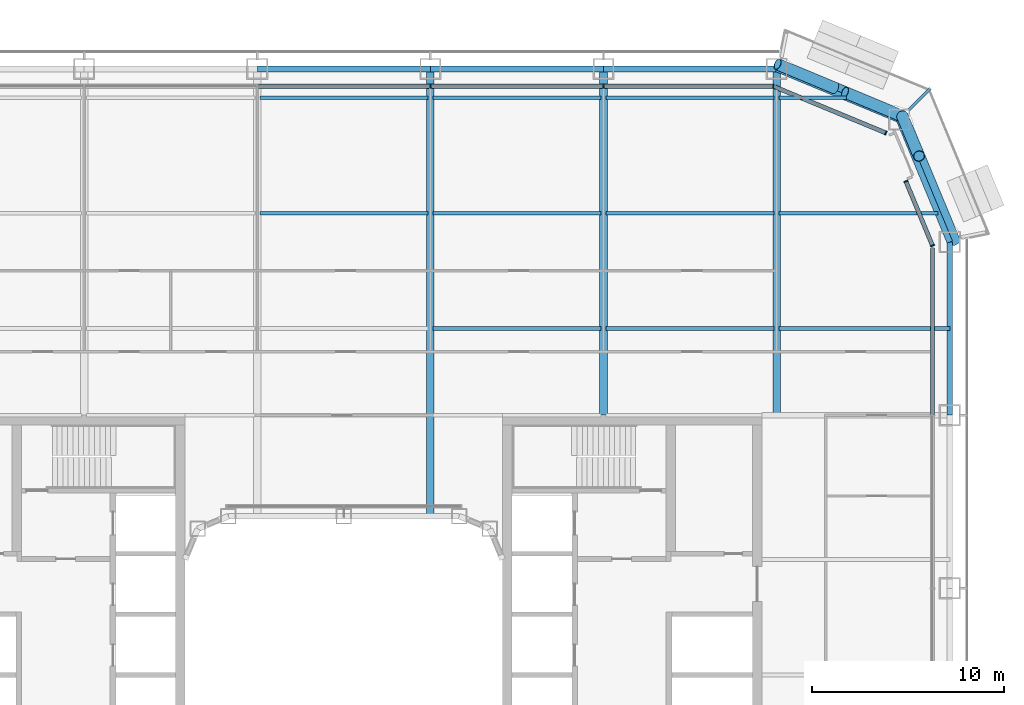
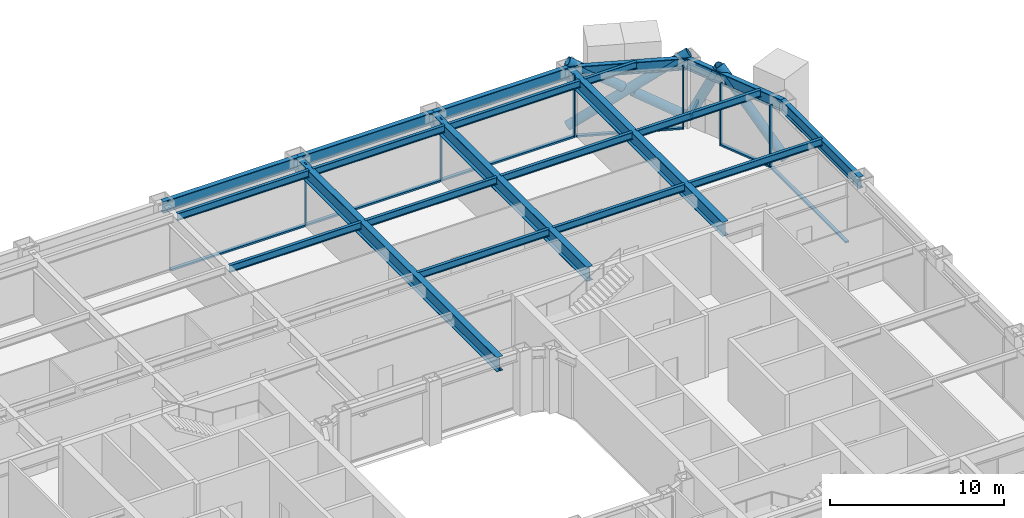
# One storey, part 10 of 30: 21 beams, 17 members, 4 elements without a shape of their own.
"""IFC4 building model written with IfcOpenShell, lengths in metres."""

from ifc_helpers import new_model, si_unit, direction, frame, origin, origin_2d, place, context, subcontext, project, spatial, rectangle, hollow_rectangle, hollow_circle, i_section, extrude, material, layer, layer_set, material_profile, profile_set, type_object, element, aggregate, save


model = new_model("IFC4")

# Units and contexts
model_context = context("Model", 3, precision=1e-05, world=origin(), true_north=direction((0.0, 1.0)))
body_context = subcontext(model_context, "Body", "Model", "MODEL_VIEW")
ifc_project = project(units=[si_unit("LENGTHUNIT", "METRE"), si_unit("AREAUNIT", "SQUARE_METRE"), si_unit("VOLUMEUNIT", "CUBIC_METRE"), si_unit("PLANEANGLEUNIT", "RADIAN"), si_unit("MASSUNIT", "GRAM", prefix="KILO")], contexts=[model_context])

# Site, building, storey
site_placement = place(None, origin())
site = spatial("IfcSite", under=ifc_project, at=site_placement, CompositionType="ELEMENT")
building_placement = place(site_placement, origin())
building = spatial("IfcBuilding", under=site, at=building_placement, Name="Siwar Civic Tower", CompositionType="ELEMENT")
storey_placement = place(building_placement, frame((0.0, 0.0, 44.699951171875)))
storey = spatial("IfcBuildingStorey", under=building, at=storey_placement, Name="L09", CompositionType="ELEMENT", Elevation=44.699951171875)

# Beam
ifc_material_1 = material(Name="Steel S355", Category="steel")
ifc_material_profile_1 = material_profile(ifc_material_1, hollow_rectangle(XDim=0.14990234375, YDim=0.25, WallThickness=0.010009765625, at=origin_2d()), Name="RHS250x150x10")
ifc_profile_set_1 = profile_set([ifc_material_profile_1], Name="Steel S355")
beam_type_1 = type_object("IfcBeamType", Name="ENV-BALCONY ARM", PredefinedType="BEAM", material=ifc_profile_set_1)
beam_1_placement = place(storey_placement, frame((29.378662109375, 29.378662109375, -0.27490234375), z_axis=(0.707106781187, 0.707106781187, 0.0), x_axis=(-0.707106781187, 0.707106781187, 0.0)))
element("IfcBeam", 1, at=beam_1_placement, inside=storey, type_object=beam_type_1, Name="Balcony cantilever beam NE 2", PredefinedType="BEAM", context=body_context, shape_type="SweptSolid", body=[
    extrude(hollow_rectangle(XDim=0.14990234375, YDim=0.25, WallThickness=0.010009765625, at=origin_2d()), origin(), (0.0, 0.0, 1.0), 1.545166015625),
])

# Curtain wall, members
ifc_material_2 = material(Name="Aluminium clad insulated panel", Category="aluminium")
ifc_layer_1 = layer(ifc_material_2, 0.219970703125)
ifc_layer_set_1 = layer_set([ifc_layer_1], Name="Aluminium clad insulated panel")
curtain_wall_type_1 = type_object("IfcCurtainWallType", Name="ENV-CW-AX", PredefinedType="NOTDEFINED", material=ifc_layer_set_1)
curtain_wall_1_placement = place(storey_placement, origin())
curtain_wall_1 = element("IfcCurtainWall", 2, at=curtain_wall_1_placement, inside=storey, type_object=curtain_wall_type_1, Name="Curtain wall A NE1", PredefinedType="NOTDEFINED")
ifc_material_3 = material(Name="Aluminium 6063-T6", Category="aluminium")
ifc_material_profile_2 = material_profile(ifc_material_3, rectangle(XDim=0.219970703125, YDim=0.070068359375, at=origin_2d()), Name="AL 220x70")
ifc_profile_set_2 = profile_set([ifc_material_profile_2], Name="Aluminium 6063-T6")
member_type_1 = type_object("IfcMemberType", Name="ENV-MULLION-A", PredefinedType="MULLION", material=ifc_profile_set_2)
member_1_placement = place(storey_placement, frame((30.60009765625, 22.321044921875, 0.0), z_axis=(0.0, 0.0, 1.0), x_axis=(-0.923879532511, -0.382683432365, 0.0)))
member_1 = element("IfcMember", 3, at=member_1_placement, type_object=member_type_1, Name="Mullion A NE1 1", PredefinedType="MULLION", context=body_context, shape_type="SweptSolid", body=[
    extrude(rectangle(XDim=0.219970703125, YDim=0.070068359375, at=origin_2d()), origin(), (0.0, 0.0, 1.0), 4.35009765625),
])
member_2_placement = place(storey_placement, frame((29.219482421875, 25.653564453125, 0.0), z_axis=(0.0, 0.0, 1.0), x_axis=(-0.923879532511, -0.382683432365, 0.0)))
member_2 = element("IfcMember", 4, at=member_2_placement, type_object=member_type_1, Name="Mullion A NE1 2", PredefinedType="MULLION", context=body_context, shape_type="SweptSolid", body=[
    extrude(rectangle(XDim=0.219970703125, YDim=0.070068359375, at=origin_2d()), origin(), (0.0, 0.0, 1.0), 4.35009765625),
])

# Curtain wall, member
curtain_wall_2_placement = place(storey_placement, origin())
curtain_wall_2 = element("IfcCurtainWall", 5, at=curtain_wall_2_placement, inside=storey, type_object=curtain_wall_type_1, Name="Curtain wall A NE2", PredefinedType="NOTDEFINED")
member_3_placement = place(storey_placement, frame((28.175048828125, 28.175048828125, 0.0), z_axis=(0.0, 0.0, 1.0), x_axis=(-0.382683432365, -0.923879532511, 0.0)))
member_3 = element("IfcMember", 6, at=member_3_placement, type_object=member_type_1, Name="Mullion A NE2 1", PredefinedType="MULLION", context=body_context, shape_type="SweptSolid", body=[
    extrude(rectangle(XDim=0.219970703125, YDim=0.070068359375, at=origin_2d()), origin(), (0.0, 0.0, 1.0), 4.35009765625),
])

# Curtain wall, members
ifc_material_4 = material(Name="Aluminium and glass", Category="aluminium")
ifc_layer_2 = layer(ifc_material_4, 0.219970703125)
ifc_layer_set_2 = layer_set([ifc_layer_2], Name="Aluminium and glass")
curtain_wall_type_2 = type_object("IfcCurtainWallType", Name="ENV-CW-A", PredefinedType="NOTDEFINED", material=ifc_layer_set_2)
curtain_wall_3_placement = place(storey_placement, origin())
curtain_wall_3 = element("IfcCurtainWall", 7, at=curtain_wall_3_placement, inside=storey, type_object=curtain_wall_type_2, Name="Curtain wall A N", PredefinedType="NOTDEFINED")
member_4_placement = place(storey_placement, frame((22.321044921875, 30.60009765625, 0.0), z_axis=(0.0, 0.0, 1.0), x_axis=(0.0, -1.0, 0.0)))
member_4 = element("IfcMember", 8, at=member_4_placement, type_object=member_type_1, Name="Mullion A N 1", PredefinedType="MULLION", context=body_context, shape_type="SweptSolid", body=[
    extrude(rectangle(XDim=0.219970703125, YDim=0.070068359375, at=origin_2d()), origin(), (0.0, 0.0, 1.0), 4.35009765625),
])
member_5_placement = place(storey_placement, frame((13.5, 30.60009765625, 0.0), z_axis=(0.0, 0.0, 1.0), x_axis=(0.0, -1.0, 0.0)))
member_5 = element("IfcMember", 9, at=member_5_placement, type_object=member_type_1, Name="Mullion A N 2", PredefinedType="MULLION", context=body_context, shape_type="SweptSolid", body=[
    extrude(rectangle(XDim=0.219970703125, YDim=0.070068359375, at=origin_2d()), origin(), (0.0, 0.0, 1.0), 4.35009765625),
])
member_6_placement = place(storey_placement, frame((4.5, 30.60009765625, 0.0), z_axis=(0.0, 0.0, 1.0), x_axis=(0.0, -1.0, 0.0)))
member_6 = element("IfcMember", 10, at=member_6_placement, type_object=member_type_1, Name="Mullion A N 3", PredefinedType="MULLION", context=body_context, shape_type="SweptSolid", body=[
    extrude(rectangle(XDim=0.219970703125, YDim=0.070068359375, at=origin_2d()), origin(), (0.0, 0.0, 1.0), 4.35009765625),
])

# Curtain wall, member
curtain_wall_4_placement = place(storey_placement, origin())
curtain_wall_4 = element("IfcCurtainWall", 11, at=curtain_wall_4_placement, inside=storey, type_object=curtain_wall_type_2, Name="Curtain wall A E", PredefinedType="NOTDEFINED")
ifc_material_5 = material(Name="Aluminium 6063-T6", Category="aluminium")
ifc_material_profile_3 = material_profile(ifc_material_5, rectangle(XDim=0.219970703125, YDim=0.1201171875, at=origin_2d()), Name="AL 220x120")
ifc_profile_set_3 = profile_set([ifc_material_profile_3], Name="Aluminium 6063-T6")
member_type_2 = type_object("IfcMemberType", Name="ENV-TRANSOM-A", PredefinedType="USERDEFINED", material=ifc_profile_set_3)
member_7_placement = place(storey_placement, frame((30.60009765625, 13.534912109375, 0.06005859375), z_axis=(0.0, 1.0, 0.0), x_axis=(-1.0, 0.0, 0.0)))
member_7 = element("IfcMember", 12, at=member_7_placement, type_object=member_type_2, Name="Transom A E 5", ObjectType="TRANSOM", PredefinedType="USERDEFINED", context=body_context, shape_type="SweptSolid", body=[
    extrude(rectangle(XDim=0.219970703125, YDim=0.1201171875, at=origin_2d()), origin(), (0.0, 0.0, 1.0), 8.66357421875),
])
aggregate(curtain_wall_4, [member_7])

# Member
member_8_placement = place(storey_placement, frame((30.586669921875, 22.353271484375, 0.06005859375), z_axis=(-0.38270330002, 0.923871302809, 0.0), x_axis=(-0.923871302809, -0.38270330002, 0.0)))
member_8 = element("IfcMember", 13, at=member_8_placement, type_object=member_type_2, Name="Transom A NE1 1", ObjectType="TRANSOM", PredefinedType="USERDEFINED", context=body_context, shape_type="SweptSolid", body=[
    extrude(rectangle(XDim=0.219970703125, YDim=0.1201171875, at=origin_2d()), origin(), (0.0, 0.0, 1.0), 3.537353515625),
])

aggregate(curtain_wall_1, [member_1, member_2, member_8])

member_9_placement = place(storey_placement, frame((28.142822265625, 28.1884765625, 0.06005859375), z_axis=(-0.923873326341, 0.382698415042, 0.0), x_axis=(-0.382698415042, -0.923873326341, 0.0)))
member_9 = element("IfcMember", 14, at=member_9_placement, type_object=member_type_2, Name="Transom A NE2 1", ObjectType="TRANSOM", PredefinedType="USERDEFINED", context=body_context, shape_type="SweptSolid", body=[
    extrude(rectangle(XDim=0.219970703125, YDim=0.1201171875, at=origin_2d()), origin(), (0.0, 0.0, 1.0), 6.17919921875),
])

aggregate(curtain_wall_2, [member_3, member_9])

member_10_placement = place(storey_placement, frame((22.285888671875, 30.60009765625, 0.06005859375), z_axis=(-1.0, 0.0, 0.0), x_axis=(0.0, -1.0, 0.0)))
member_10 = element("IfcMember", 15, at=member_10_placement, type_object=member_type_2, Name="Transom A N 1", ObjectType="TRANSOM", PredefinedType="USERDEFINED", context=body_context, shape_type="SweptSolid", body=[
    extrude(rectangle(XDim=0.219970703125, YDim=0.1201171875, at=origin_2d()), origin(), (0.0, 0.0, 1.0), 8.7509765625),
])

member_11_placement = place(storey_placement, frame((13.465087890625, 30.60009765625, 0.06005859375), z_axis=(-1.0, 0.0, 0.0), x_axis=(0.0, -1.0, 0.0)))
member_11 = element("IfcMember", 16, at=member_11_placement, type_object=member_type_2, Name="Transom A N 2", ObjectType="TRANSOM", PredefinedType="USERDEFINED", context=body_context, shape_type="SweptSolid", body=[
    extrude(rectangle(XDim=0.219970703125, YDim=0.1201171875, at=origin_2d()), origin(), (0.0, 0.0, 1.0), 8.93017578125),
])

member_12_placement = place(storey_placement, frame((4.465087890625, 30.60009765625, 0.06005859375), z_axis=(-1.0, 0.0, 0.0), x_axis=(0.0, -1.0, 0.0)))
member_12 = element("IfcMember", 17, at=member_12_placement, type_object=member_type_2, Name="Transom A N 3", ObjectType="TRANSOM", PredefinedType="USERDEFINED", context=body_context, shape_type="SweptSolid", body=[
    extrude(rectangle(XDim=0.219970703125, YDim=0.1201171875, at=origin_2d()), origin(), (0.0, 0.0, 1.0), 8.93017578125),
])

aggregate(curtain_wall_3, [member_4, member_5, member_6, member_10, member_11, member_12])

# Members
ifc_material_6 = material(Name="Steel S355", Category="steel")
ifc_material_profile_4 = material_profile(ifc_material_6, hollow_circle(Radius=0.304931640625, WallThickness=0.030029296875, at=origin_2d()), Name="CHS610x30")
ifc_profile_set_4 = profile_set([ifc_material_profile_4], Name="Steel S355")
member_type_3 = type_object("IfcMemberType", Name="STR-BR-CHS610x30", PredefinedType="BRACE", material=ifc_profile_set_4)
member_13_placement = place(storey_placement, frame((22.548828125, 31.7451171875, 0.0), z_axis=(0.777554562952, -0.323905527954, 0.538975055633), x_axis=(0.384538969033, 0.923108759191, 0.0)))
element("IfcMember", 18, at=member_13_placement, inside=storey, type_object=member_type_3, Name="L09/brc/ANE1-8-0-1", PredefinedType="BRACE", context=body_context, shape_type="SweptSolid", body=[
    extrude(hollow_circle(Radius=0.304931640625, WallThickness=0.030029296875, at=origin_2d()), origin(), (0.0, 0.0, 1.0), 8.34912109375),
])
member_14_placement = place(storey_placement, frame((29.040771484375, 29.040771484375, 0.0), z_axis=(-0.777542179573, 0.323922979564, 0.53898243227), x_axis=(-0.384561842466, -0.923099230484, 0.0)))
element("IfcMember", 19, at=member_14_placement, inside=storey, type_object=member_type_3, Name="L09/brc/ANE1-8-0-2", PredefinedType="BRACE", context=body_context, shape_type="SweptSolid", body=[
    extrude(hollow_circle(Radius=0.304931640625, WallThickness=0.030029296875, at=origin_2d()), origin(), (0.0, 0.0, 1.0), 3.84375),
])
member_15_placement = place(storey_placement, frame((25.537353515625, 30.500244140625, 2.428466796875), z_axis=(-0.777559680196, 0.3238932121, 0.53897507446), x_axis=(-0.384524353215, -0.923114847559, 0.0)))
element("IfcMember", 20, at=member_15_placement, inside=storey, type_object=member_type_3, Name="L09/brc/ANE1-8-0-3", PredefinedType="BRACE", context=body_context, shape_type="SweptSolid", body=[
    extrude(hollow_circle(Radius=0.304931640625, WallThickness=0.030029296875, at=origin_2d()), origin(), (0.0, 0.0, 1.0), 3.843505859375),
])
member_16_placement = place(storey_placement, frame((31.7451171875, 22.548828125, 0.0), z_axis=(-0.280310719993, 0.672864582402, 0.684601456328), x_axis=(-0.923101041979, -0.384557494138, 0.0)))
element("IfcMember", 21, at=member_16_placement, inside=storey, type_object=member_type_3, Name="L09/brc/ANE1-8-0-0", PredefinedType="BRACE", context=body_context, shape_type="SweptSolid", body=[
    extrude(hollow_circle(Radius=0.304931640625, WallThickness=0.030029296875, at=origin_2d()), origin(), (0.0, 0.0, 1.0), 6.5732421875),
])
member_17_placement = place(storey_placement, frame((29.040771484375, 29.040771484375, 0.0), z_axis=(0.171426870802, -0.411570178484, 0.895110504993), x_axis=(0.923125254544, 0.384499368559, 0.0)))
element("IfcMember", 22, at=member_17_placement, inside=storey, type_object=member_type_3, Name="L09/brc/ANE1-8-0-6", PredefinedType="BRACE", context=body_context, shape_type="SweptSolid", body=[
    extrude(hollow_circle(Radius=0.304931640625, WallThickness=0.030029296875, at=origin_2d()), origin(), (0.0, 0.0, 1.0), 5.02734375),
])

# Beams
ifc_material_7 = material(Name="Steel S355", Category="steel")
ifc_material_profile_5 = material_profile(ifc_material_7, i_section(OverallWidth=0.199951171875, OverallDepth=0.5, WebThickness=0.01025390625, FlangeThickness=0.01611328125, FilletRadius=0.02099609375, at=origin_2d()), Name="IPE500")
ifc_profile_set_5 = profile_set([ifc_material_profile_5], Name="Steel S355")
beam_type_2 = type_object("IfcBeamType", Name="STR-FB-IPE500", PredefinedType="JOIST", material=ifc_profile_set_5)
for number, where, z_axis, x_axis, name in (
    (23, (4.6298828125, 18.0, 4.10009765625), (1.0, 0.0, 0.0), (0.0, 1.0, 0.0), "L09/bm/F050"),
    (24, (13.6298828125, 18.0, 4.10009765625), (1.0, 0.0, 0.0), (0.0, 1.0, 0.0), "L09/bm/F051"),
):
    element("IfcBeam", number, at=place(storey_placement, frame(where, z_axis=z_axis, x_axis=x_axis)), inside=storey, type_object=beam_type_2, Name=name, PredefinedType="JOIST", context=body_context, shape_type="SweptSolid", body=[
        extrude(i_section(OverallWidth=0.199951171875, OverallDepth=0.5, WebThickness=0.01025390625, FlangeThickness=0.01611328125, FilletRadius=0.02099609375, at=origin_2d()), origin(), (0.0, 0.0, 1.0), 8.740234375),
    ])
beam_2_placement = place(storey_placement, frame((22.6298828125, 18.0, 4.10009765625), z_axis=(1.0, 0.0, 0.0), x_axis=(0.0, 1.0, 0.0)))
element("IfcBeam", 25, at=beam_2_placement, inside=storey, type_object=beam_type_2, Name="L09/bm/F052", PredefinedType="JOIST", context=body_context, shape_type="SweptSolid", body=[
    extrude(i_section(OverallWidth=0.199951171875, OverallDepth=0.5, WebThickness=0.01025390625, FlangeThickness=0.01611328125, FilletRadius=0.02099609375, at=origin_2d()), origin(), (0.0, 0.0, 1.0), 8.8701171875),
])
for number, where, z_axis, x_axis, name in (
    (26, (-4.3701171875, 24.0, 4.10009765625), (1.0, 0.0, 0.0), (0.0, 1.0, 0.0), "L09/bm/F056"),
    (27, (4.6298828125, 24.0, 4.10009765625), (1.0, 0.0, 0.0), (0.0, 1.0, 0.0), "L09/bm/F057"),
    (28, (13.6298828125, 24.0, 4.10009765625), (1.0, 0.0, 0.0), (0.0, 1.0, 0.0), "L09/bm/F058"),
):
    element("IfcBeam", number, at=place(storey_placement, frame(where, z_axis=z_axis, x_axis=x_axis)), inside=storey, type_object=beam_type_2, Name=name, PredefinedType="JOIST", context=body_context, shape_type="SweptSolid", body=[
        extrude(i_section(OverallWidth=0.199951171875, OverallDepth=0.5, WebThickness=0.01025390625, FlangeThickness=0.01611328125, FilletRadius=0.02099609375, at=origin_2d()), origin(), (0.0, 0.0, 1.0), 8.740234375),
    ])
beam_3_placement = place(storey_placement, frame((22.6298828125, 24.0, 4.10009765625), z_axis=(1.0, 0.0, 0.0), x_axis=(0.0, 1.0, 0.0)))
element("IfcBeam", 29, at=beam_3_placement, inside=storey, type_object=beam_type_2, Name="L09/bm/F059", PredefinedType="JOIST", context=body_context, shape_type="SweptSolid", body=[
    extrude(i_section(OverallWidth=0.199951171875, OverallDepth=0.5, WebThickness=0.01025390625, FlangeThickness=0.01611328125, FilletRadius=0.02099609375, at=origin_2d()), origin(), (0.0, 0.0, 1.0), 8.248779296875),
])
for number, where, z_axis, x_axis, name in (
    (30, (-4.3701171875, 30.0, 4.10009765625), (1.0, 0.0, 0.0), (0.0, 1.0, 0.0), "L09/bm/F063"),
    (31, (4.6298828125, 30.0, 4.10009765625), (1.0, 0.0, 0.0), (0.0, 1.0, 0.0), "L09/bm/F064"),
    (32, (13.6298828125, 30.0, 4.10009765625), (1.0, 0.0, 0.0), (0.0, 1.0, 0.0), "L09/bm/F065"),
):
    element("IfcBeam", number, at=place(storey_placement, frame(where, z_axis=z_axis, x_axis=x_axis)), inside=storey, type_object=beam_type_2, Name=name, PredefinedType="JOIST", context=body_context, shape_type="SweptSolid", body=[
        extrude(i_section(OverallWidth=0.199951171875, OverallDepth=0.5, WebThickness=0.01025390625, FlangeThickness=0.01611328125, FilletRadius=0.02099609375, at=origin_2d()), origin(), (0.0, 0.0, 1.0), 8.740234375),
    ])
beam_4_placement = place(storey_placement, frame((22.6298828125, 30.0, 4.10009765625), z_axis=(1.0, 0.0, 0.0), x_axis=(0.0, 1.0, 0.0)))
element("IfcBeam", 33, at=beam_4_placement, inside=storey, type_object=beam_type_2, Name="L09/bm/F066", PredefinedType="JOIST", context=body_context, shape_type="SweptSolid", body=[
    extrude(i_section(OverallWidth=0.199951171875, OverallDepth=0.5, WebThickness=0.01025390625, FlangeThickness=0.01611328125, FilletRadius=0.02099609375, at=origin_2d()), origin(), (0.0, 0.0, 1.0), 3.491455078125),
])
ifc_material_8 = material(Name="Steel S355", Category="steel")
ifc_material_profile_6 = material_profile(ifc_material_8, i_section(OverallWidth=0.39990234375, OverallDepth=1.0, WebThickness=0.01611328125, FlangeThickness=0.0400390625, at=origin_2d()), Name="PG1000x400x16x40")
ifc_profile_set_6 = profile_set([ifc_material_profile_6], Name="Steel S355")
beam_type_3 = type_object("IfcBeamType", Name="STR-PG-PG1000x400x16x40", PredefinedType="BEAM", material=ifc_profile_set_6)
beam_5_placement = place(storey_placement, frame((4.5, 8.25, 3.85009765625), z_axis=(0.0, 1.0, 0.0), x_axis=(-1.0, 0.0, 0.0)))
element("IfcBeam", 34, at=beam_5_placement, inside=storey, type_object=beam_type_3, Name="L09/bm/G08", PredefinedType="BEAM", context=body_context, shape_type="SweptSolid", body=[
    extrude(i_section(OverallWidth=0.39990234375, OverallDepth=1.0, WebThickness=0.01611328125, FlangeThickness=0.0400390625, at=origin_2d()), origin(), (0.0, 0.0, 1.0), 23.25),
])
for number, where, z_axis, x_axis, name in (
    (35, (13.5, 13.5, 3.85009765625), (0.0, 1.0, 0.0), (-1.0, 0.0, 0.0), "L09/bm/G10"),
    (36, (22.5, 13.5, 3.85009765625), (0.0, 1.0, 0.0), (-1.0, 0.0, 0.0), "L09/bm/G12"),
):
    element("IfcBeam", number, at=place(storey_placement, frame(where, z_axis=z_axis, x_axis=x_axis)), inside=storey, type_object=beam_type_3, Name=name, PredefinedType="BEAM", context=body_context, shape_type="SweptSolid", body=[
        extrude(i_section(OverallWidth=0.39990234375, OverallDepth=1.0, WebThickness=0.01611328125, FlangeThickness=0.0400390625, at=origin_2d()), origin(), (0.0, 0.0, 1.0), 18.0),
    ])
ifc_material_9 = material(Name="Steel S355", Category="steel")
ifc_material_profile_7 = material_profile(ifc_material_9, i_section(OverallWidth=0.302978515625, OverallDepth=0.81396484375, WebThickness=0.02099609375, FlangeThickness=0.0400390625, FilletRadius=0.030029296875, at=origin_2d()), Name="HEM800")
ifc_profile_set_7 = profile_set([ifc_material_profile_7], Name="Steel S355")
beam_type_4 = type_object("IfcBeamType", Name="STR-SB-HEM800", PredefinedType="BEAM", material=ifc_profile_set_7)
beam_6_placement = place(storey_placement, frame((31.5, 13.5, 3.943115234375), z_axis=(0.0, 1.0, 0.0), x_axis=(-1.0, 0.0, 0.0)))
element("IfcBeam", 37, at=beam_6_placement, inside=storey, type_object=beam_type_4, Name="L09/bm/SE-4", PredefinedType="BEAM", context=body_context, shape_type="SweptSolid", body=[
    extrude(i_section(OverallWidth=0.302978515625, OverallDepth=0.81396484375, WebThickness=0.02099609375, FlangeThickness=0.0400390625, FilletRadius=0.030029296875, at=origin_2d()), origin(), (0.0, 0.0, 1.0), 9.0),
])
for number, where, z_axis, x_axis, name in (
    (38, (31.5, 22.5, 3.943115234375), (-0.382674207535, 0.923883353507, 0.0), (-0.923883353507, -0.382674207535, 0.0), "L09/bm/SNE1-0"),
    (39, (28.864013671875, 28.864013671875, 3.943115234375), (-0.923883353507, 0.382674207535, 0.0), (-0.382674207535, -0.923883353507, 0.0), "L09/bm/SNE2-0"),
):
    element("IfcBeam", number, at=place(storey_placement, frame(where, z_axis=z_axis, x_axis=x_axis)), inside=storey, type_object=beam_type_4, Name=name, PredefinedType="BEAM", context=body_context, shape_type="SweptSolid", body=[
        extrude(i_section(OverallWidth=0.302978515625, OverallDepth=0.81396484375, WebThickness=0.02099609375, FlangeThickness=0.0400390625, FilletRadius=0.030029296875, at=origin_2d()), origin(), (0.0, 0.0, 1.0), 6.888427734375),
    ])
for number, where, z_axis, x_axis, name in (
    (40, (22.5, 31.5, 3.943115234375), (-1.0, 0.0, 0.0), (0.0, -1.0, 0.0), "L09/bm/SN-0"),
    (41, (13.5, 31.5, 3.943115234375), (-1.0, 0.0, 0.0), (0.0, -1.0, 0.0), "L09/bm/SN-1"),
    (42, (4.5, 31.5, 3.943115234375), (-1.0, 0.0, 0.0), (0.0, -1.0, 0.0), "L09/bm/SN-2"),
):
    element("IfcBeam", number, at=place(storey_placement, frame(where, z_axis=z_axis, x_axis=x_axis)), inside=storey, type_object=beam_type_4, Name=name, PredefinedType="BEAM", context=body_context, shape_type="SweptSolid", body=[
        extrude(i_section(OverallWidth=0.302978515625, OverallDepth=0.81396484375, WebThickness=0.02099609375, FlangeThickness=0.0400390625, FilletRadius=0.030029296875, at=origin_2d()), origin(), (0.0, 0.0, 1.0), 9.0),
    ])

save(model, "model.ifc")
